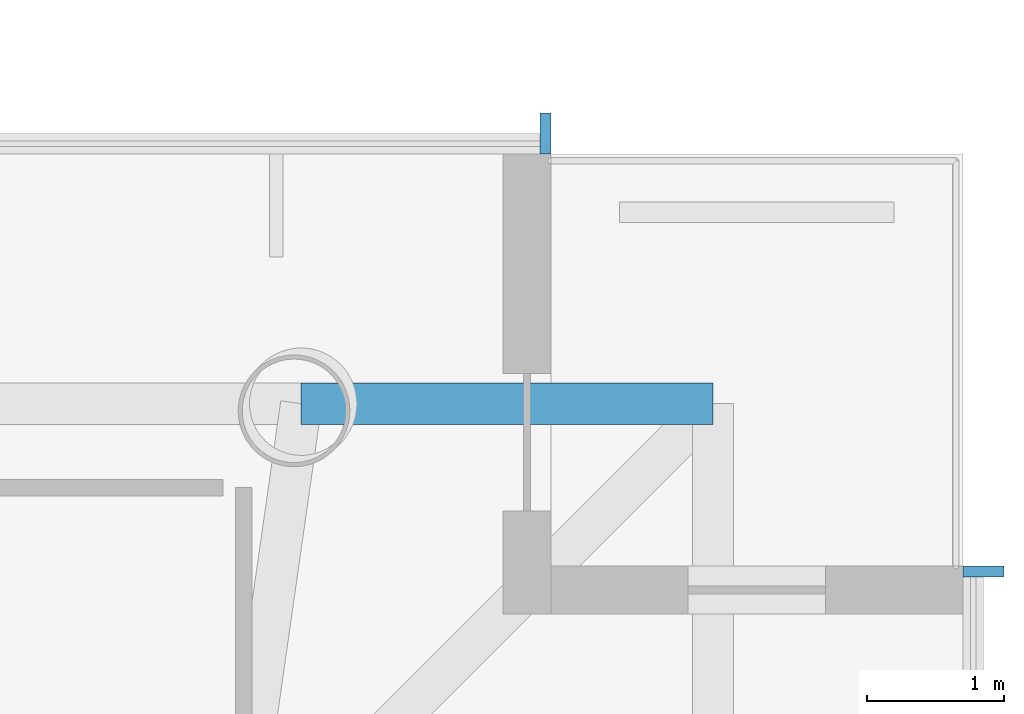
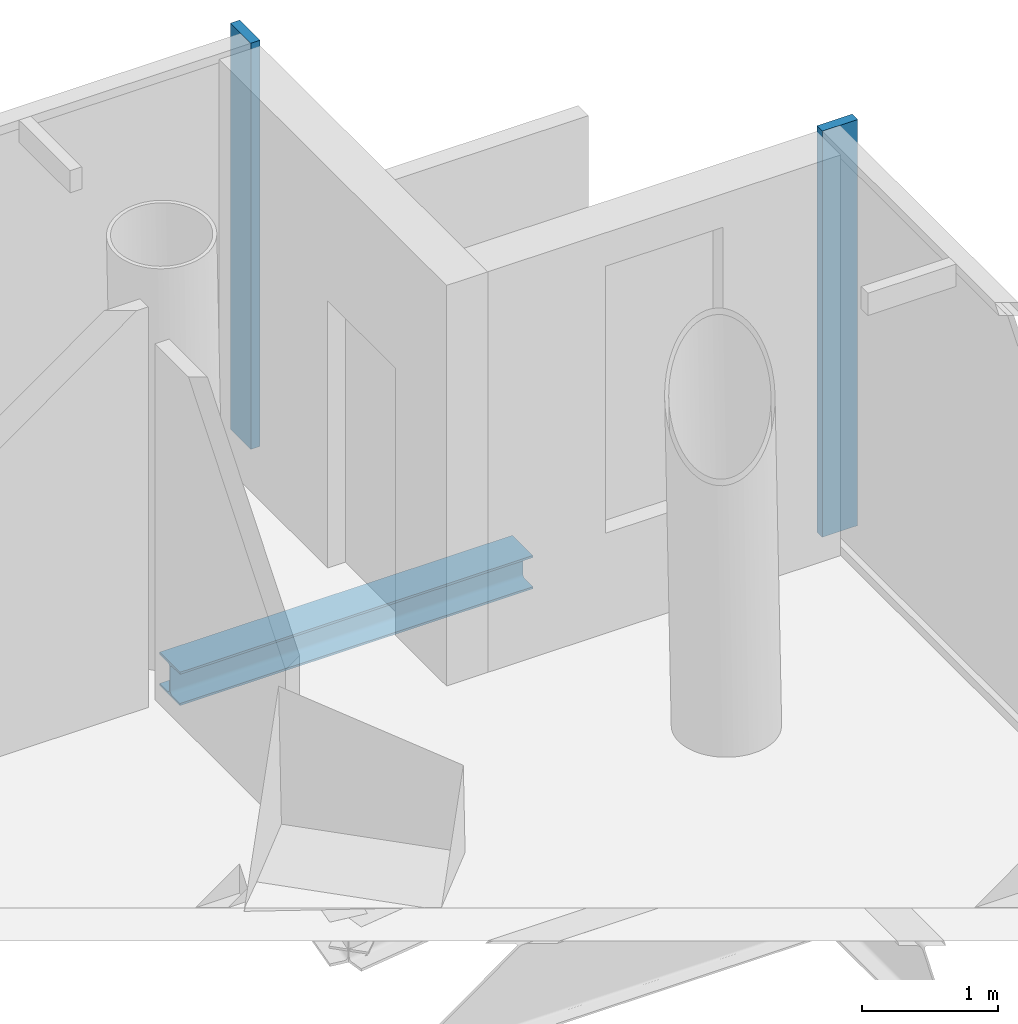
# One storey, part 7 of 22: 2 members, 1 beam, 2 elements without a shape of their own.
"""IFC4 building model written with IfcOpenShell, lengths in metres."""

from ifc_helpers import new_model, si_unit, direction, frame, origin, origin_2d, place, context, subcontext, project, spatial, rectangle, i_section, extrude, material, material_profile, profile_set, type_object, element, aggregate, save


model = new_model("IFC4")

# Units and contexts
model_context = context("Model", 3, precision=1e-05, world=origin(), true_north=direction((0.0, 1.0)))
body_context = subcontext(model_context, "Body", "Model", "MODEL_VIEW")
ifc_project = project(units=[si_unit("LENGTHUNIT", "METRE"), si_unit("AREAUNIT", "SQUARE_METRE"), si_unit("VOLUMEUNIT", "CUBIC_METRE"), si_unit("PLANEANGLEUNIT", "RADIAN"), si_unit("MASSUNIT", "GRAM", prefix="KILO")], contexts=[model_context])

# Site, building, storey
site_placement = place(None, origin())
site = spatial("IfcSite", under=ifc_project, at=site_placement, CompositionType="ELEMENT")
building_placement = place(site_placement, origin())
building = spatial("IfcBuilding", under=site, at=building_placement, Name="Ostroluk Exchange", CompositionType="ELEMENT")
storey_placement = place(building_placement, frame((0.0, 0.0, 40.0)))
storey = spatial("IfcBuildingStorey", under=building, at=storey_placement, Name="L09", CompositionType="ELEMENT", Elevation=40.0)

# Beam
ifc_material_1 = material(Name="Steel S355", Category="steel")
ifc_material_profile_1 = material_profile(ifc_material_1, i_section(OverallWidth=0.300048828125, OverallDepth=0.300048828125, WebThickness=0.010986328125, FlangeThickness=0.01904296875, FilletRadius=0.027099609375, at=origin_2d()), Name="HEB 300")
ifc_profile_set_1 = profile_set([ifc_material_profile_1], Name="Steel S355")
beam_type = type_object("IfcBeamType", Name="Balcony beam HEB 300", PredefinedType="BEAM", material=ifc_profile_set_1)
beam_placement = place(storey_placement, frame((132.18115234375, 64.18115234375, -0.35009765625), z_axis=(1.0, 0.0, 0.0), x_axis=(0.0, 1.0, 0.0)))
element("IfcBeam", 1, at=beam_placement, inside=storey, type_object=beam_type, Name="T2 east balcony beam b", PredefinedType="BEAM", context=body_context, shape_type="SweptSolid", body=[
    extrude(i_section(OverallWidth=0.300048828125, OverallDepth=0.300048828125, WebThickness=0.010986328125, FlangeThickness=0.01904296875, FilletRadius=0.027099609375, at=origin_2d()), origin(), (0.0, 0.0, 1.0), 3.0),
])

# Curtain wall, member
ifc_material_2 = material(Name="Laminated clear glass", Category="glass")
curtain_wall_type = type_object("IfcCurtainWallType", Name="Hotel guest floor facade", PredefinedType="USERDEFINED", material=ifc_material_2)
curtain_wall_1_placement = place(storey_placement, origin())
curtain_wall_1 = element("IfcCurtainWall", 2, at=curtain_wall_1_placement, inside=storey, type_object=curtain_wall_type, Name="Hotel tower east facade L09", ObjectType="UNITISED CURTAIN WALL", PredefinedType="USERDEFINED")
ifc_material_3 = material(Name="Aluminium mullion with limestone facing", Category="masonry")
ifc_material_profile_2 = material_profile(ifc_material_3, rectangle(XDim=0.300048828125, YDim=0.080078125, at=origin_2d()), Name="Tracery mullion 80 x 300")
ifc_profile_set_2 = profile_set([ifc_material_profile_2], Name="Aluminium mullion with limestone facing")
member_type = type_object("IfcMemberType", Name="Tracery mullion 80 x 300", PredefinedType="MULLION", material=ifc_profile_set_2)
member_1_placement = place(storey_placement, frame((137.14990234375, 62.9599609375, 0.0), z_axis=(0.0, 0.0, 1.0), x_axis=(-1.0, 0.0, 0.0)))
member_1 = element("IfcMember", 3, at=member_1_placement, type_object=member_type, Name="CW-H1 mullion 8", PredefinedType="MULLION", context=body_context, shape_type="SweptSolid", body=[
    extrude(rectangle(XDim=0.300048828125, YDim=0.080078125, at=origin_2d()), origin(), (0.0, 0.0, 1.0), 3.64990234375),
])
aggregate(curtain_wall_1, [member_1])

curtain_wall_2_placement = place(storey_placement, origin())
curtain_wall_2 = element("IfcCurtainWall", 4, at=curtain_wall_2_placement, inside=storey, type_object=curtain_wall_type, Name="Hotel tower north facade L09", ObjectType="UNITISED CURTAIN WALL", PredefinedType="USERDEFINED")
member_2_placement = place(storey_placement, frame((133.9599609375, 66.14990234375, 0.0), z_axis=(0.0, 0.0, 1.0), x_axis=(0.0, -1.0, 0.0)))
member_2 = element("IfcMember", 5, at=member_2_placement, type_object=member_type, Name="CW-H1 mullion 1", PredefinedType="MULLION", context=body_context, shape_type="SweptSolid", body=[
    extrude(rectangle(XDim=0.300048828125, YDim=0.080078125, at=origin_2d()), origin(), (0.0, 0.0, 1.0), 3.64990234375),
])
aggregate(curtain_wall_2, [member_2])

save(model, "model.ifc")
